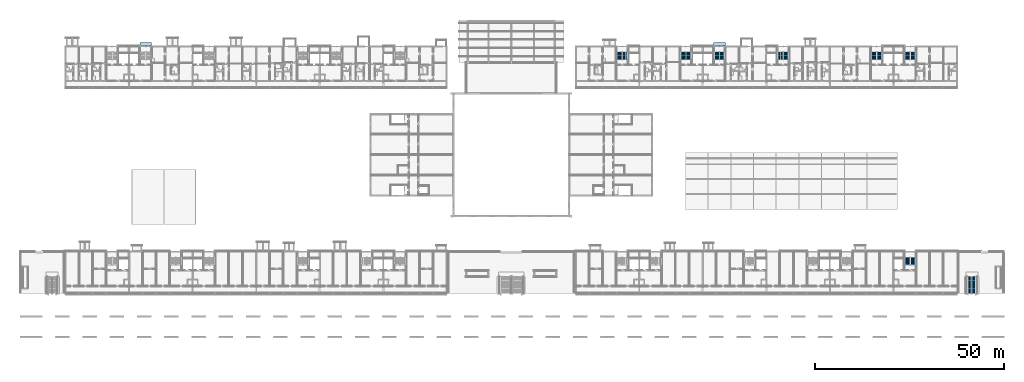
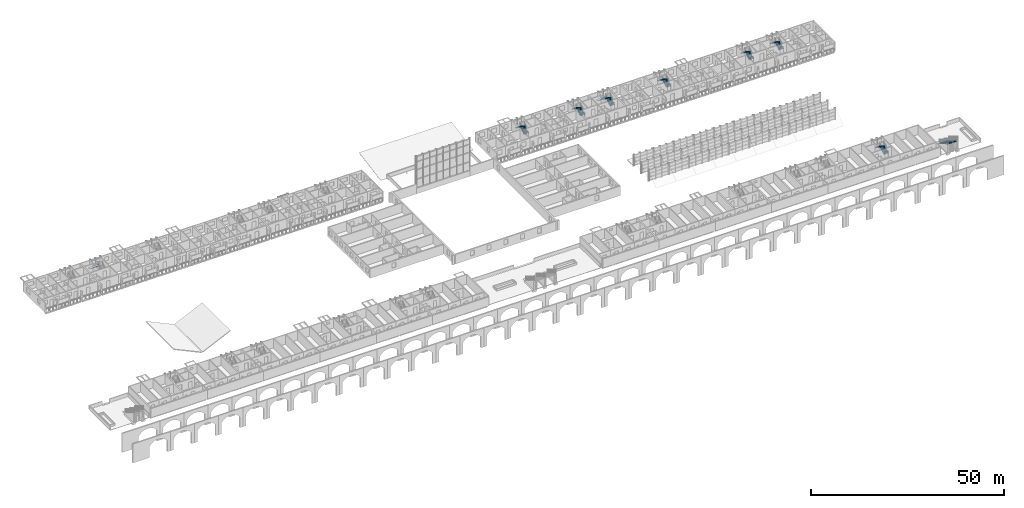
# One storey, part 84 of 122: 15 stair flights, 2 roofs, 8 elements without a shape of their own.
"""IFC4 building model written with IfcOpenShell, lengths in metres."""

from ifc_helpers import new_model, si_unit, direction, frame, origin, place, context, subcontext, project, spatial, polyline, outline, extrude, material, type_object, element, aggregate, save


model = new_model("IFC4")

# Units and contexts
model_context = context("Model", 3, precision=1e-05, world=origin(), true_north=direction((0.0, 1.0)))
body_context = subcontext(model_context, "Body", "Model", "MODEL_VIEW")
ifc_project = project(units=[si_unit("LENGTHUNIT", "METRE"), si_unit("AREAUNIT", "SQUARE_METRE"), si_unit("VOLUMEUNIT", "CUBIC_METRE"), si_unit("PLANEANGLEUNIT", "RADIAN"), si_unit("MASSUNIT", "GRAM", prefix="KILO")], contexts=[model_context])

# Site, building, storey
site_placement = place(None, origin())
site = spatial("IfcSite", under=ifc_project, at=site_placement, CompositionType="ELEMENT")
building_placement = place(site_placement, origin())
building = spatial("IfcBuilding", under=site, at=building_placement, Name="Ridgestep Commons", CompositionType="ELEMENT")
storey_placement = place(building_placement, frame((0.0, 0.0, 3.0)))
storey = spatial("IfcBuildingStorey", under=building, at=storey_placement, Name="L01", CompositionType="ELEMENT", Elevation=3.0)

# Stair, stair flight
ifc_material_1 = material(Name="Concrete C30/37", Category="concrete")
stair_type_1 = type_object("IfcStairType", Name="Monumental stair", PredefinedType="STRAIGHT_RUN_STAIR", material=ifc_material_1)
stair_1_placement = place(storey_placement, origin())
stair_1 = element("IfcStair", 1, at=stair_1_placement, inside=storey, type_object=stair_type_1, Name="Court stair T1 to T2", PredefinedType="STRAIGHT_RUN_STAIR")
ifc_material_2 = material(Name="Concrete C30/37", Category="concrete")
stair_flight_type_1 = type_object("IfcStairFlightType", Name="Monumental stair flight", PredefinedType="STRAIGHT", material=ifc_material_2)
stair_flight_1_placement = place(storey_placement, frame((251.5, 16.510009765625, 0.0), z_axis=(0.0, 0.0, 1.0), x_axis=(0.0, -1.0, 0.0)))
stair_flight_1 = element("IfcStairFlight", 2, at=stair_flight_1_placement, type_object=stair_flight_type_1, Name="ST3 flight 1", NumberOfRisers=18, NumberOfTreads=17, PredefinedType="STRAIGHT", RiserHeight=0.166666667, TreadLength=0.28, context=body_context, shape_type="SweptSolid", body=[
    extrude(outline(polyline([(0.0, 0.0), (0.0, 0.166748046875), (0.280029296875, 0.166748046875), (0.280029296875, 0.333251953125), (0.56005859375, 0.333251953125), (0.56005859375, 0.5), (0.840087890625, 0.5), (0.840087890625, 0.666748046875), (1.1201171875, 0.666748046875), (1.1201171875, 0.833251953125), (1.39990234375, 0.833251953125), (1.39990234375, 1.0), (1.679931640625, 1.0), (1.679931640625, 1.166748046875), (1.9599609375, 1.166748046875), (1.9599609375, 1.333251953125), (2.239990234375, 1.333251953125), (2.239990234375, 1.5), (2.52001953125, 1.5), (2.52001953125, 1.666748046875), (2.800048828125, 1.666748046875), (2.800048828125, 1.833251953125), (3.080078125, 1.833251953125), (3.080078125, 2.0), (3.360107421875, 2.0), (3.360107421875, 2.166748046875), (3.639892578125, 2.166748046875), (3.639892578125, 2.333251953125), (3.919921875, 2.333251953125), (3.919921875, 2.5), (4.199951171875, 2.5), (4.199951171875, 2.666748046875), (4.47998046875, 2.666748046875), (4.47998046875, 2.833251953125), (4.760009765625, 2.833251953125), (4.760009765625, 3.0), (4.760009765625, 2.6005859375), (0.390869140625, 0.0), (0.0, 0.0)])), frame((0.0, 1.199951171875, 0.0), z_axis=(0.0, -1.0, 0.0), x_axis=(1.0, 0.0, 0.0)), (0.0, 0.0, 1.0), 2.39990234375),
])
aggregate(stair_1, [stair_flight_1])

# Stair, stair flights
ifc_material_3 = material(Name="Precast concrete C40/50", Category="concrete")
stair_type_2 = type_object("IfcStairType", Name="Escape stair 1400", PredefinedType="HALF_TURN_STAIR", material=ifc_material_3)
stair_2_placement = place(storey_placement, origin())
stair_2 = element("IfcStair", 3, at=stair_2_placement, inside=storey, type_object=stair_type_2, Name="L01 Escape stair C1C", PredefinedType="HALF_TURN_STAIR")
ifc_material_4 = material(Name="Precast concrete C40/50", Category="concrete")
stair_flight_type_2 = type_object("IfcStairFlightType", Name="Stair flight 1400", PredefinedType="STRAIGHT", material=ifc_material_4)
stair_flight_2_placement = place(storey_placement, frame((159.925048828125, 73.60009765625, 0.0), z_axis=(0.0, 0.0, 1.0), x_axis=(0.0, 1.0, 0.0)))
stair_flight_2 = element("IfcStairFlight", 4, at=stair_flight_2_placement, type_object=stair_flight_type_2, Name="C1C flight 1", NumberOfRisers=8, NumberOfTreads=7, PredefinedType="STRAIGHT", RiserHeight=0.1875, TreadLength=0.28, context=body_context, shape_type="SweptSolid", body=[
    extrude(outline(polyline([(0.0, 0.0), (0.0, 0.1875), (0.280029296875, 0.1875), (0.280029296875, 0.375), (0.56005859375, 0.375), (0.56005859375, 0.5625), (0.840087890625, 0.5625), (0.840087890625, 0.75), (1.1201171875, 0.75), (1.1201171875, 0.9375), (1.39990234375, 0.9375), (1.39990234375, 1.125), (1.679931640625, 1.125), (1.679931640625, 1.3125), (1.9599609375, 1.3125), (1.9599609375, 1.5), (1.9599609375, 1.132080078125), (0.26953125, 0.0), (0.0, 0.0)])), frame((0.0, 0.699951171875, 0.0), z_axis=(0.0, -1.0, 0.0), x_axis=(1.0, 0.0, 0.0)), (0.0, 0.0, 1.0), 0.695068359375),
    extrude(outline(polyline([(0.0, 0.0), (0.0, 0.1875), (0.280029296875, 0.1875), (0.280029296875, 0.375), (0.56005859375, 0.375), (0.56005859375, 0.5625), (0.840087890625, 0.5625), (0.840087890625, 0.75), (1.1201171875, 0.75), (1.1201171875, 0.9375), (1.39990234375, 0.9375), (1.39990234375, 1.125), (1.679931640625, 1.125), (1.679931640625, 1.3125), (1.9599609375, 1.3125), (1.9599609375, 1.5), (1.9599609375, 1.132080078125), (0.26953125, 0.0), (0.0, 0.0)])), frame((0.0, -0.0048828125, 0.0), z_axis=(0.0, -1.0, 0.0), x_axis=(1.0, 0.0, 0.0)), (0.0, 0.0, 1.0), 0.695068359375),
])
stair_flight_3_placement = place(storey_placement, frame((158.425048828125, 75.56005859375, 1.5), z_axis=(0.0, 0.0, 1.0), x_axis=(0.0, -1.0, 0.0)))
stair_flight_3 = element("IfcStairFlight", 5, at=stair_flight_3_placement, type_object=stair_flight_type_2, Name="C1C flight 2", NumberOfRisers=8, NumberOfTreads=7, PredefinedType="STRAIGHT", RiserHeight=0.1875, TreadLength=0.28, context=body_context, shape_type="SweptSolid", body=[
    extrude(outline(polyline([(0.0, 0.0), (0.0, 0.1875), (0.280029296875, 0.1875), (0.280029296875, 0.375), (0.56005859375, 0.375), (0.56005859375, 0.5625), (0.840087890625, 0.5625), (0.840087890625, 0.75), (1.1201171875, 0.75), (1.1201171875, 0.9375), (1.39990234375, 0.9375), (1.39990234375, 1.125), (1.679931640625, 1.125), (1.679931640625, 1.3125), (1.9599609375, 1.3125), (1.9599609375, 1.5), (1.9599609375, 1.132080078125), (0.26953125, 0.0), (0.0, 0.0)])), frame((0.0, 0.699951171875, 0.0), z_axis=(0.0, -1.0, 0.0), x_axis=(1.0, 0.0, 0.0)), (0.0, 0.0, 1.0), 0.695068359375),
    extrude(outline(polyline([(0.0, 0.0), (0.0, 0.1875), (0.280029296875, 0.1875), (0.280029296875, 0.375), (0.56005859375, 0.375), (0.56005859375, 0.5625), (0.840087890625, 0.5625), (0.840087890625, 0.75), (1.1201171875, 0.75), (1.1201171875, 0.9375), (1.39990234375, 0.9375), (1.39990234375, 1.125), (1.679931640625, 1.125), (1.679931640625, 1.3125), (1.9599609375, 1.3125), (1.9599609375, 1.5), (1.9599609375, 1.132080078125), (0.26953125, 0.0), (0.0, 0.0)])), frame((0.0, -0.0048828125, 0.0), z_axis=(0.0, -1.0, 0.0), x_axis=(1.0, 0.0, 0.0)), (0.0, 0.0, 1.0), 0.695068359375),
])
aggregate(stair_2, [stair_flight_2, stair_flight_3])

stair_3_placement = place(storey_placement, origin())
stair_3 = element("IfcStair", 6, at=stair_3_placement, inside=storey, type_object=stair_type_2, Name="L01 Escape stair C2C", PredefinedType="HALF_TURN_STAIR")
stair_flight_4_placement = place(storey_placement, frame((176.72509765625, 73.60009765625, 0.0), z_axis=(0.0, 0.0, 1.0), x_axis=(0.0, 1.0, 0.0)))
stair_flight_4 = element("IfcStairFlight", 7, at=stair_flight_4_placement, type_object=stair_flight_type_2, Name="C2C flight 1", NumberOfRisers=8, NumberOfTreads=7, PredefinedType="STRAIGHT", RiserHeight=0.1875, TreadLength=0.28, context=body_context, shape_type="SweptSolid", body=[
    extrude(outline(polyline([(0.0, 0.0), (0.0, 0.1875), (0.280029296875, 0.1875), (0.280029296875, 0.375), (0.56005859375, 0.375), (0.56005859375, 0.5625), (0.840087890625, 0.5625), (0.840087890625, 0.75), (1.1201171875, 0.75), (1.1201171875, 0.9375), (1.39990234375, 0.9375), (1.39990234375, 1.125), (1.679931640625, 1.125), (1.679931640625, 1.3125), (1.9599609375, 1.3125), (1.9599609375, 1.5), (1.9599609375, 1.132080078125), (0.26953125, 0.0), (0.0, 0.0)])), frame((0.0, 0.699951171875, 0.0), z_axis=(0.0, -1.0, 0.0), x_axis=(1.0, 0.0, 0.0)), (0.0, 0.0, 1.0), 0.695068359375),
    extrude(outline(polyline([(0.0, 0.0), (0.0, 0.1875), (0.280029296875, 0.1875), (0.280029296875, 0.375), (0.56005859375, 0.375), (0.56005859375, 0.5625), (0.840087890625, 0.5625), (0.840087890625, 0.75), (1.1201171875, 0.75), (1.1201171875, 0.9375), (1.39990234375, 0.9375), (1.39990234375, 1.125), (1.679931640625, 1.125), (1.679931640625, 1.3125), (1.9599609375, 1.3125), (1.9599609375, 1.5), (1.9599609375, 1.132080078125), (0.26953125, 0.0), (0.0, 0.0)])), frame((0.0, -0.0048828125, 0.0), z_axis=(0.0, -1.0, 0.0), x_axis=(1.0, 0.0, 0.0)), (0.0, 0.0, 1.0), 0.695068359375),
])
stair_flight_5_placement = place(storey_placement, frame((175.22509765625, 75.56005859375, 1.5), z_axis=(0.0, 0.0, 1.0), x_axis=(0.0, -1.0, 0.0)))
stair_flight_5 = element("IfcStairFlight", 8, at=stair_flight_5_placement, type_object=stair_flight_type_2, Name="C2C flight 2", NumberOfRisers=8, NumberOfTreads=7, PredefinedType="STRAIGHT", RiserHeight=0.1875, TreadLength=0.28, context=body_context, shape_type="SweptSolid", body=[
    extrude(outline(polyline([(0.0, 0.0), (0.0, 0.1875), (0.280029296875, 0.1875), (0.280029296875, 0.375), (0.56005859375, 0.375), (0.56005859375, 0.5625), (0.840087890625, 0.5625), (0.840087890625, 0.75), (1.1201171875, 0.75), (1.1201171875, 0.9375), (1.39990234375, 0.9375), (1.39990234375, 1.125), (1.679931640625, 1.125), (1.679931640625, 1.3125), (1.9599609375, 1.3125), (1.9599609375, 1.5), (1.9599609375, 1.132080078125), (0.26953125, 0.0), (0.0, 0.0)])), frame((0.0, 0.699951171875, 0.0), z_axis=(0.0, -1.0, 0.0), x_axis=(1.0, 0.0, 0.0)), (0.0, 0.0, 1.0), 0.695068359375),
    extrude(outline(polyline([(0.0, 0.0), (0.0, 0.1875), (0.280029296875, 0.1875), (0.280029296875, 0.375), (0.56005859375, 0.375), (0.56005859375, 0.5625), (0.840087890625, 0.5625), (0.840087890625, 0.75), (1.1201171875, 0.75), (1.1201171875, 0.9375), (1.39990234375, 0.9375), (1.39990234375, 1.125), (1.679931640625, 1.125), (1.679931640625, 1.3125), (1.9599609375, 1.3125), (1.9599609375, 1.5), (1.9599609375, 1.132080078125), (0.26953125, 0.0), (0.0, 0.0)])), frame((0.0, -0.0048828125, 0.0), z_axis=(0.0, -1.0, 0.0), x_axis=(1.0, 0.0, 0.0)), (0.0, 0.0, 1.0), 0.695068359375),
])
aggregate(stair_3, [stair_flight_4, stair_flight_5])

stair_4_placement = place(storey_placement, origin())
stair_4 = element("IfcStair", 9, at=stair_4_placement, inside=storey, type_object=stair_type_2, Name="L01 Escape stair C3C", PredefinedType="HALF_TURN_STAIR")
stair_flight_6_placement = place(storey_placement, frame((185.574951171875, 73.60009765625, 0.0), z_axis=(0.0, 0.0, 1.0), x_axis=(0.0, 1.0, 0.0)))
stair_flight_6 = element("IfcStairFlight", 10, at=stair_flight_6_placement, type_object=stair_flight_type_2, Name="C3C flight 1", NumberOfRisers=8, NumberOfTreads=7, PredefinedType="STRAIGHT", RiserHeight=0.1875, TreadLength=0.28, context=body_context, shape_type="SweptSolid", body=[
    extrude(outline(polyline([(0.0, 0.0), (0.0, 0.1875), (0.280029296875, 0.1875), (0.280029296875, 0.375), (0.56005859375, 0.375), (0.56005859375, 0.5625), (0.840087890625, 0.5625), (0.840087890625, 0.75), (1.1201171875, 0.75), (1.1201171875, 0.9375), (1.39990234375, 0.9375), (1.39990234375, 1.125), (1.679931640625, 1.125), (1.679931640625, 1.3125), (1.9599609375, 1.3125), (1.9599609375, 1.5), (1.9599609375, 1.132080078125), (0.26953125, 0.0), (0.0, 0.0)])), frame((0.0, 0.699951171875, 0.0), z_axis=(0.0, -1.0, 0.0), x_axis=(1.0, 0.0, 0.0)), (0.0, 0.0, 1.0), 0.695068359375),
    extrude(outline(polyline([(0.0, 0.0), (0.0, 0.1875), (0.280029296875, 0.1875), (0.280029296875, 0.375), (0.56005859375, 0.375), (0.56005859375, 0.5625), (0.840087890625, 0.5625), (0.840087890625, 0.75), (1.1201171875, 0.75), (1.1201171875, 0.9375), (1.39990234375, 0.9375), (1.39990234375, 1.125), (1.679931640625, 1.125), (1.679931640625, 1.3125), (1.9599609375, 1.3125), (1.9599609375, 1.5), (1.9599609375, 1.132080078125), (0.26953125, 0.0), (0.0, 0.0)])), frame((0.0, -0.0048828125, 0.0), z_axis=(0.0, -1.0, 0.0), x_axis=(1.0, 0.0, 0.0)), (0.0, 0.0, 1.0), 0.695068359375),
])
stair_flight_7_placement = place(storey_placement, frame((184.074951171875, 75.56005859375, 1.5), z_axis=(0.0, 0.0, 1.0), x_axis=(0.0, -1.0, 0.0)))
stair_flight_7 = element("IfcStairFlight", 11, at=stair_flight_7_placement, type_object=stair_flight_type_2, Name="C3C flight 2", NumberOfRisers=8, NumberOfTreads=7, PredefinedType="STRAIGHT", RiserHeight=0.1875, TreadLength=0.28, context=body_context, shape_type="SweptSolid", body=[
    extrude(outline(polyline([(0.0, 0.0), (0.0, 0.1875), (0.280029296875, 0.1875), (0.280029296875, 0.375), (0.56005859375, 0.375), (0.56005859375, 0.5625), (0.840087890625, 0.5625), (0.840087890625, 0.75), (1.1201171875, 0.75), (1.1201171875, 0.9375), (1.39990234375, 0.9375), (1.39990234375, 1.125), (1.679931640625, 1.125), (1.679931640625, 1.3125), (1.9599609375, 1.3125), (1.9599609375, 1.5), (1.9599609375, 1.132080078125), (0.26953125, 0.0), (0.0, 0.0)])), frame((0.0, 0.699951171875, 0.0), z_axis=(0.0, -1.0, 0.0), x_axis=(1.0, 0.0, 0.0)), (0.0, 0.0, 1.0), 0.695068359375),
    extrude(outline(polyline([(0.0, 0.0), (0.0, 0.1875), (0.280029296875, 0.1875), (0.280029296875, 0.375), (0.56005859375, 0.375), (0.56005859375, 0.5625), (0.840087890625, 0.5625), (0.840087890625, 0.75), (1.1201171875, 0.75), (1.1201171875, 0.9375), (1.39990234375, 0.9375), (1.39990234375, 1.125), (1.679931640625, 1.125), (1.679931640625, 1.3125), (1.9599609375, 1.3125), (1.9599609375, 1.5), (1.9599609375, 1.132080078125), (0.26953125, 0.0), (0.0, 0.0)])), frame((0.0, -0.0048828125, 0.0), z_axis=(0.0, -1.0, 0.0), x_axis=(1.0, 0.0, 0.0)), (0.0, 0.0, 1.0), 0.695068359375),
])
aggregate(stair_4, [stair_flight_6, stair_flight_7])

stair_5_placement = place(storey_placement, origin())
stair_5 = element("IfcStair", 12, at=stair_5_placement, inside=storey, type_object=stair_type_2, Name="L01 Escape stair C4C", PredefinedType="HALF_TURN_STAIR")
stair_flight_8_placement = place(storey_placement, frame((202.375, 73.60009765625, 0.0), z_axis=(0.0, 0.0, 1.0), x_axis=(0.0, 1.0, 0.0)))
stair_flight_8 = element("IfcStairFlight", 13, at=stair_flight_8_placement, type_object=stair_flight_type_2, Name="C4C flight 1", NumberOfRisers=8, NumberOfTreads=7, PredefinedType="STRAIGHT", RiserHeight=0.1875, TreadLength=0.28, context=body_context, shape_type="SweptSolid", body=[
    extrude(outline(polyline([(0.0, 0.0), (0.0, 0.1875), (0.280029296875, 0.1875), (0.280029296875, 0.375), (0.56005859375, 0.375), (0.56005859375, 0.5625), (0.840087890625, 0.5625), (0.840087890625, 0.75), (1.1201171875, 0.75), (1.1201171875, 0.9375), (1.39990234375, 0.9375), (1.39990234375, 1.125), (1.679931640625, 1.125), (1.679931640625, 1.3125), (1.9599609375, 1.3125), (1.9599609375, 1.5), (1.9599609375, 1.132080078125), (0.26953125, 0.0), (0.0, 0.0)])), frame((0.0, 0.699951171875, 0.0), z_axis=(0.0, -1.0, 0.0), x_axis=(1.0, 0.0, 0.0)), (0.0, 0.0, 1.0), 0.695068359375),
    extrude(outline(polyline([(0.0, 0.0), (0.0, 0.1875), (0.280029296875, 0.1875), (0.280029296875, 0.375), (0.56005859375, 0.375), (0.56005859375, 0.5625), (0.840087890625, 0.5625), (0.840087890625, 0.75), (1.1201171875, 0.75), (1.1201171875, 0.9375), (1.39990234375, 0.9375), (1.39990234375, 1.125), (1.679931640625, 1.125), (1.679931640625, 1.3125), (1.9599609375, 1.3125), (1.9599609375, 1.5), (1.9599609375, 1.132080078125), (0.26953125, 0.0), (0.0, 0.0)])), frame((0.0, -0.0048828125, 0.0), z_axis=(0.0, -1.0, 0.0), x_axis=(1.0, 0.0, 0.0)), (0.0, 0.0, 1.0), 0.695068359375),
])
stair_flight_9_placement = place(storey_placement, frame((200.875, 75.56005859375, 1.5), z_axis=(0.0, 0.0, 1.0), x_axis=(0.0, -1.0, 0.0)))
stair_flight_9 = element("IfcStairFlight", 14, at=stair_flight_9_placement, type_object=stair_flight_type_2, Name="C4C flight 2", NumberOfRisers=8, NumberOfTreads=7, PredefinedType="STRAIGHT", RiserHeight=0.1875, TreadLength=0.28, context=body_context, shape_type="SweptSolid", body=[
    extrude(outline(polyline([(0.0, 0.0), (0.0, 0.1875), (0.280029296875, 0.1875), (0.280029296875, 0.375), (0.56005859375, 0.375), (0.56005859375, 0.5625), (0.840087890625, 0.5625), (0.840087890625, 0.75), (1.1201171875, 0.75), (1.1201171875, 0.9375), (1.39990234375, 0.9375), (1.39990234375, 1.125), (1.679931640625, 1.125), (1.679931640625, 1.3125), (1.9599609375, 1.3125), (1.9599609375, 1.5), (1.9599609375, 1.132080078125), (0.26953125, 0.0), (0.0, 0.0)])), frame((0.0, 0.699951171875, 0.0), z_axis=(0.0, -1.0, 0.0), x_axis=(1.0, 0.0, 0.0)), (0.0, 0.0, 1.0), 0.695068359375),
    extrude(outline(polyline([(0.0, 0.0), (0.0, 0.1875), (0.280029296875, 0.1875), (0.280029296875, 0.375), (0.56005859375, 0.375), (0.56005859375, 0.5625), (0.840087890625, 0.5625), (0.840087890625, 0.75), (1.1201171875, 0.75), (1.1201171875, 0.9375), (1.39990234375, 0.9375), (1.39990234375, 1.125), (1.679931640625, 1.125), (1.679931640625, 1.3125), (1.9599609375, 1.3125), (1.9599609375, 1.5), (1.9599609375, 1.132080078125), (0.26953125, 0.0), (0.0, 0.0)])), frame((0.0, -0.0048828125, 0.0), z_axis=(0.0, -1.0, 0.0), x_axis=(1.0, 0.0, 0.0)), (0.0, 0.0, 1.0), 0.695068359375),
])
aggregate(stair_5, [stair_flight_8, stair_flight_9])

stair_6_placement = place(storey_placement, origin())
stair_6 = element("IfcStair", 15, at=stair_6_placement, inside=storey, type_object=stair_type_2, Name="L01 Escape stair C5C", PredefinedType="HALF_TURN_STAIR")
stair_flight_10_placement = place(storey_placement, frame((227.125, 73.60009765625, 0.0), z_axis=(0.0, 0.0, 1.0), x_axis=(0.0, 1.0, 0.0)))
stair_flight_10 = element("IfcStairFlight", 16, at=stair_flight_10_placement, type_object=stair_flight_type_2, Name="C5C flight 1", NumberOfRisers=8, NumberOfTreads=7, PredefinedType="STRAIGHT", RiserHeight=0.1875, TreadLength=0.28, context=body_context, shape_type="SweptSolid", body=[
    extrude(outline(polyline([(0.0, 0.0), (0.0, 0.1875), (0.280029296875, 0.1875), (0.280029296875, 0.375), (0.56005859375, 0.375), (0.56005859375, 0.5625), (0.840087890625, 0.5625), (0.840087890625, 0.75), (1.1201171875, 0.75), (1.1201171875, 0.9375), (1.39990234375, 0.9375), (1.39990234375, 1.125), (1.679931640625, 1.125), (1.679931640625, 1.3125), (1.9599609375, 1.3125), (1.9599609375, 1.5), (1.9599609375, 1.132080078125), (0.26953125, 0.0), (0.0, 0.0)])), frame((0.0, 0.699951171875, 0.0), z_axis=(0.0, -1.0, 0.0), x_axis=(1.0, 0.0, 0.0)), (0.0, 0.0, 1.0), 0.695068359375),
    extrude(outline(polyline([(0.0, 0.0), (0.0, 0.1875), (0.280029296875, 0.1875), (0.280029296875, 0.375), (0.56005859375, 0.375), (0.56005859375, 0.5625), (0.840087890625, 0.5625), (0.840087890625, 0.75), (1.1201171875, 0.75), (1.1201171875, 0.9375), (1.39990234375, 0.9375), (1.39990234375, 1.125), (1.679931640625, 1.125), (1.679931640625, 1.3125), (1.9599609375, 1.3125), (1.9599609375, 1.5), (1.9599609375, 1.132080078125), (0.26953125, 0.0), (0.0, 0.0)])), frame((0.0, -0.0048828125, 0.0), z_axis=(0.0, -1.0, 0.0), x_axis=(1.0, 0.0, 0.0)), (0.0, 0.0, 1.0), 0.695068359375),
])
stair_flight_11_placement = place(storey_placement, frame((225.625, 75.56005859375, 1.5), z_axis=(0.0, 0.0, 1.0), x_axis=(0.0, -1.0, 0.0)))
stair_flight_11 = element("IfcStairFlight", 17, at=stair_flight_11_placement, type_object=stair_flight_type_2, Name="C5C flight 2", NumberOfRisers=8, NumberOfTreads=7, PredefinedType="STRAIGHT", RiserHeight=0.1875, TreadLength=0.28, context=body_context, shape_type="SweptSolid", body=[
    extrude(outline(polyline([(0.0, 0.0), (0.0, 0.1875), (0.280029296875, 0.1875), (0.280029296875, 0.375), (0.56005859375, 0.375), (0.56005859375, 0.5625), (0.840087890625, 0.5625), (0.840087890625, 0.75), (1.1201171875, 0.75), (1.1201171875, 0.9375), (1.39990234375, 0.9375), (1.39990234375, 1.125), (1.679931640625, 1.125), (1.679931640625, 1.3125), (1.9599609375, 1.3125), (1.9599609375, 1.5), (1.9599609375, 1.132080078125), (0.26953125, 0.0), (0.0, 0.0)])), frame((0.0, 0.699951171875, 0.0), z_axis=(0.0, -1.0, 0.0), x_axis=(1.0, 0.0, 0.0)), (0.0, 0.0, 1.0), 0.695068359375),
    extrude(outline(polyline([(0.0, 0.0), (0.0, 0.1875), (0.280029296875, 0.1875), (0.280029296875, 0.375), (0.56005859375, 0.375), (0.56005859375, 0.5625), (0.840087890625, 0.5625), (0.840087890625, 0.75), (1.1201171875, 0.75), (1.1201171875, 0.9375), (1.39990234375, 0.9375), (1.39990234375, 1.125), (1.679931640625, 1.125), (1.679931640625, 1.3125), (1.9599609375, 1.3125), (1.9599609375, 1.5), (1.9599609375, 1.132080078125), (0.26953125, 0.0), (0.0, 0.0)])), frame((0.0, -0.0048828125, 0.0), z_axis=(0.0, -1.0, 0.0), x_axis=(1.0, 0.0, 0.0)), (0.0, 0.0, 1.0), 0.695068359375),
])
aggregate(stair_6, [stair_flight_10, stair_flight_11])

stair_7_placement = place(storey_placement, origin())
stair_7 = element("IfcStair", 18, at=stair_7_placement, inside=storey, type_object=stair_type_2, Name="L01 Escape stair C6C", PredefinedType="HALF_TURN_STAIR")
stair_flight_12_placement = place(storey_placement, frame((235.97509765625, 73.60009765625, 0.0), z_axis=(0.0, 0.0, 1.0), x_axis=(0.0, 1.0, 0.0)))
stair_flight_12 = element("IfcStairFlight", 19, at=stair_flight_12_placement, type_object=stair_flight_type_2, Name="C6C flight 1", NumberOfRisers=8, NumberOfTreads=7, PredefinedType="STRAIGHT", RiserHeight=0.1875, TreadLength=0.28, context=body_context, shape_type="SweptSolid", body=[
    extrude(outline(polyline([(0.0, 0.0), (0.0, 0.1875), (0.280029296875, 0.1875), (0.280029296875, 0.375), (0.56005859375, 0.375), (0.56005859375, 0.5625), (0.840087890625, 0.5625), (0.840087890625, 0.75), (1.1201171875, 0.75), (1.1201171875, 0.9375), (1.39990234375, 0.9375), (1.39990234375, 1.125), (1.679931640625, 1.125), (1.679931640625, 1.3125), (1.9599609375, 1.3125), (1.9599609375, 1.5), (1.9599609375, 1.132080078125), (0.26953125, 0.0), (0.0, 0.0)])), frame((0.0, 0.699951171875, 0.0), z_axis=(0.0, -1.0, 0.0), x_axis=(1.0, 0.0, 0.0)), (0.0, 0.0, 1.0), 0.695068359375),
    extrude(outline(polyline([(0.0, 0.0), (0.0, 0.1875), (0.280029296875, 0.1875), (0.280029296875, 0.375), (0.56005859375, 0.375), (0.56005859375, 0.5625), (0.840087890625, 0.5625), (0.840087890625, 0.75), (1.1201171875, 0.75), (1.1201171875, 0.9375), (1.39990234375, 0.9375), (1.39990234375, 1.125), (1.679931640625, 1.125), (1.679931640625, 1.3125), (1.9599609375, 1.3125), (1.9599609375, 1.5), (1.9599609375, 1.132080078125), (0.26953125, 0.0), (0.0, 0.0)])), frame((0.0, -0.0048828125, 0.0), z_axis=(0.0, -1.0, 0.0), x_axis=(1.0, 0.0, 0.0)), (0.0, 0.0, 1.0), 0.695068359375),
])
stair_flight_13_placement = place(storey_placement, frame((234.47509765625, 75.56005859375, 1.5), z_axis=(0.0, 0.0, 1.0), x_axis=(0.0, -1.0, 0.0)))
stair_flight_13 = element("IfcStairFlight", 20, at=stair_flight_13_placement, type_object=stair_flight_type_2, Name="C6C flight 2", NumberOfRisers=8, NumberOfTreads=7, PredefinedType="STRAIGHT", RiserHeight=0.1875, TreadLength=0.28, context=body_context, shape_type="SweptSolid", body=[
    extrude(outline(polyline([(0.0, 0.0), (0.0, 0.1875), (0.280029296875, 0.1875), (0.280029296875, 0.375), (0.56005859375, 0.375), (0.56005859375, 0.5625), (0.840087890625, 0.5625), (0.840087890625, 0.75), (1.1201171875, 0.75), (1.1201171875, 0.9375), (1.39990234375, 0.9375), (1.39990234375, 1.125), (1.679931640625, 1.125), (1.679931640625, 1.3125), (1.9599609375, 1.3125), (1.9599609375, 1.5), (1.9599609375, 1.132080078125), (0.26953125, 0.0), (0.0, 0.0)])), frame((0.0, 0.699951171875, 0.0), z_axis=(0.0, -1.0, 0.0), x_axis=(1.0, 0.0, 0.0)), (0.0, 0.0, 1.0), 0.695068359375),
    extrude(outline(polyline([(0.0, 0.0), (0.0, 0.1875), (0.280029296875, 0.1875), (0.280029296875, 0.375), (0.56005859375, 0.375), (0.56005859375, 0.5625), (0.840087890625, 0.5625), (0.840087890625, 0.75), (1.1201171875, 0.75), (1.1201171875, 0.9375), (1.39990234375, 0.9375), (1.39990234375, 1.125), (1.679931640625, 1.125), (1.679931640625, 1.3125), (1.9599609375, 1.3125), (1.9599609375, 1.5), (1.9599609375, 1.132080078125), (0.26953125, 0.0), (0.0, 0.0)])), frame((0.0, -0.0048828125, 0.0), z_axis=(0.0, -1.0, 0.0), x_axis=(1.0, 0.0, 0.0)), (0.0, 0.0, 1.0), 0.695068359375),
])
aggregate(stair_7, [stair_flight_12, stair_flight_13])

stair_8_placement = place(storey_placement, origin())
stair_8 = element("IfcStair", 21, at=stair_8_placement, inside=storey, type_object=stair_type_2, Name="L01 Escape stair D6C", PredefinedType="HALF_TURN_STAIR")
stair_flight_14_placement = place(storey_placement, frame((235.97509765625, 19.35009765625, 0.0), z_axis=(0.0, 0.0, 1.0), x_axis=(0.0, 1.0, 0.0)))
stair_flight_14 = element("IfcStairFlight", 22, at=stair_flight_14_placement, type_object=stair_flight_type_2, Name="D6C flight 1", NumberOfRisers=8, NumberOfTreads=7, PredefinedType="STRAIGHT", RiserHeight=0.1875, TreadLength=0.28, context=body_context, shape_type="SweptSolid", body=[
    extrude(outline(polyline([(0.0, 0.0), (0.0, 0.1875), (0.280029296875, 0.1875), (0.280029296875, 0.375), (0.56005859375, 0.375), (0.56005859375, 0.5625), (0.840087890625, 0.5625), (0.840087890625, 0.75), (1.1201171875, 0.75), (1.1201171875, 0.9375), (1.39990234375, 0.9375), (1.39990234375, 1.125), (1.679931640625, 1.125), (1.679931640625, 1.3125), (1.9599609375, 1.3125), (1.9599609375, 1.5), (1.9599609375, 1.132080078125), (0.26953125, 0.0), (0.0, 0.0)])), frame((0.0, 0.699951171875, 0.0), z_axis=(0.0, -1.0, 0.0), x_axis=(1.0, 0.0, 0.0)), (0.0, 0.0, 1.0), 0.695068359375),
    extrude(outline(polyline([(0.0, 0.0), (0.0, 0.1875), (0.280029296875, 0.1875), (0.280029296875, 0.375), (0.56005859375, 0.375), (0.56005859375, 0.5625), (0.840087890625, 0.5625), (0.840087890625, 0.75), (1.1201171875, 0.75), (1.1201171875, 0.9375), (1.39990234375, 0.9375), (1.39990234375, 1.125), (1.679931640625, 1.125), (1.679931640625, 1.3125), (1.9599609375, 1.3125), (1.9599609375, 1.5), (1.9599609375, 1.132080078125), (0.26953125, 0.0), (0.0, 0.0)])), frame((0.0, -0.0048828125, 0.0), z_axis=(0.0, -1.0, 0.0), x_axis=(1.0, 0.0, 0.0)), (0.0, 0.0, 1.0), 0.695068359375),
])
stair_flight_15_placement = place(storey_placement, frame((234.47509765625, 21.31005859375, 1.5), z_axis=(0.0, 0.0, 1.0), x_axis=(0.0, -1.0, 0.0)))
stair_flight_15 = element("IfcStairFlight", 23, at=stair_flight_15_placement, type_object=stair_flight_type_2, Name="D6C flight 2", NumberOfRisers=8, NumberOfTreads=7, PredefinedType="STRAIGHT", RiserHeight=0.1875, TreadLength=0.28, context=body_context, shape_type="SweptSolid", body=[
    extrude(outline(polyline([(0.0, 0.0), (0.0, 0.1875), (0.280029296875, 0.1875), (0.280029296875, 0.375), (0.56005859375, 0.375), (0.56005859375, 0.5625), (0.840087890625, 0.5625), (0.840087890625, 0.75), (1.1201171875, 0.75), (1.1201171875, 0.9375), (1.39990234375, 0.9375), (1.39990234375, 1.125), (1.679931640625, 1.125), (1.679931640625, 1.3125), (1.9599609375, 1.3125), (1.9599609375, 1.5), (1.9599609375, 1.132080078125), (0.26953125, 0.0), (0.0, 0.0)])), frame((0.0, 0.699951171875, 0.0), z_axis=(0.0, -1.0, 0.0), x_axis=(1.0, 0.0, 0.0)), (0.0, 0.0, 1.0), 0.695068359375),
    extrude(outline(polyline([(0.0, 0.0), (0.0, 0.1875), (0.280029296875, 0.1875), (0.280029296875, 0.375), (0.56005859375, 0.375), (0.56005859375, 0.5625), (0.840087890625, 0.5625), (0.840087890625, 0.75), (1.1201171875, 0.75), (1.1201171875, 0.9375), (1.39990234375, 0.9375), (1.39990234375, 1.125), (1.679931640625, 1.125), (1.679931640625, 1.3125), (1.9599609375, 1.3125), (1.9599609375, 1.5), (1.9599609375, 1.132080078125), (0.26953125, 0.0), (0.0, 0.0)])), frame((0.0, -0.0048828125, 0.0), z_axis=(0.0, -1.0, 0.0), x_axis=(1.0, 0.0, 0.0)), (0.0, 0.0, 1.0), 0.695068359375),
])
aggregate(stair_8, [stair_flight_14, stair_flight_15])

# Roofs
ifc_material_5 = material(Name="Zinc-aluminium profiled sheet", Category="aluminium")
roof_type = type_object("IfcRoofType", Name="Portal pediment 3100 x 800", PredefinedType="GABLE_ROOF", material=ifc_material_5)
roof_1_placement = place(storey_placement, frame((31.675048828125, 77.64990234375, -0.10009765625), z_axis=(0.0, 0.0, 1.0), x_axis=(1.0, 0.0, 0.0)))
element("IfcRoof", 24, at=roof_1_placement, inside=storey, type_object=roof_type, Name="Portal pediment B", PredefinedType="GABLE_ROOF", context=body_context, shape_type="SweptSolid", body=[
    extrude(outline(polyline([(0.0, 0.0), (3.099853515625, 0.0), (3.10009765625, 0.10009765625), (1.550048828125, 0.25), (0.0, 0.10009765625), (0.0, 0.0)])), frame((0.0, 0.39990234375, 0.0), z_axis=(0.0, -1.0, 0.0), x_axis=(1.0, 0.0, 0.0)), (0.0, 0.0, 1.0), 0.800048828125),
])
roof_2_placement = place(storey_placement, frame((183.27490234375, 77.64990234375, -0.10009765625), z_axis=(0.0, 0.0, 1.0), x_axis=(1.0, 0.0, 0.0)))
element("IfcRoof", 25, at=roof_2_placement, inside=storey, type_object=roof_type, Name="Portal pediment C", PredefinedType="GABLE_ROOF", context=body_context, shape_type="SweptSolid", body=[
    extrude(outline(polyline([(0.0, 0.0), (3.10009765625, 0.0), (3.10009765625, 0.10009765625), (1.550048828125, 0.25), (0.0, 0.10009765625), (0.0, 0.0)])), frame((0.0, 0.39990234375, 0.0), z_axis=(0.0, -1.0, 0.0), x_axis=(1.0, 0.0, 0.0)), (0.0, 0.0, 1.0), 0.800048828125),
])

save(model, "model.ifc")
